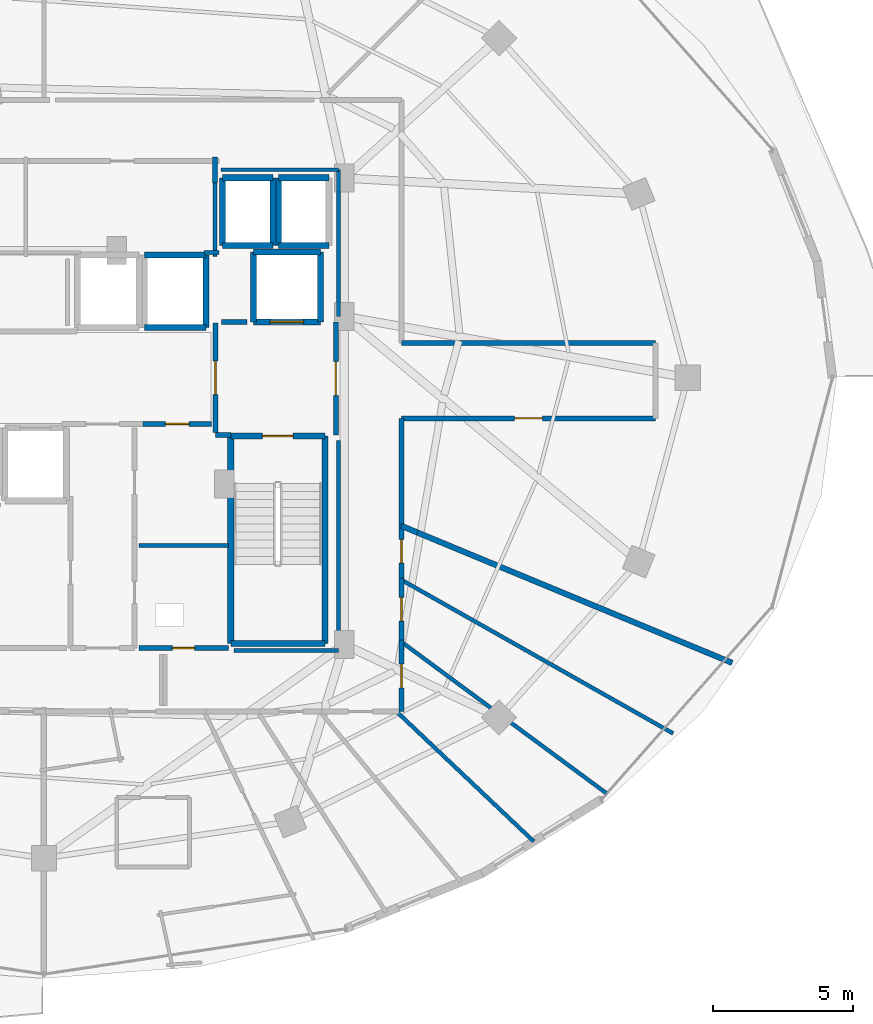
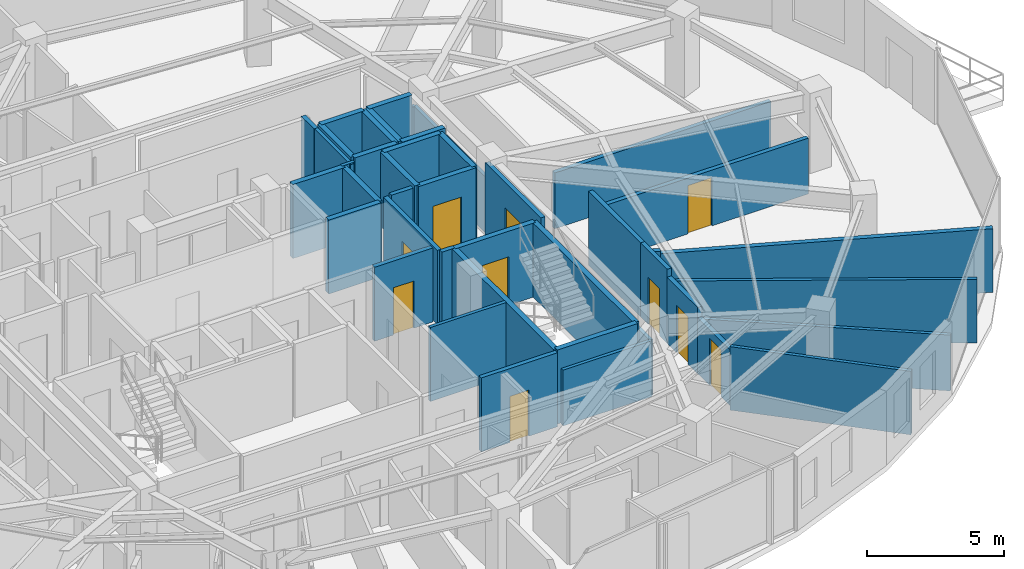
# One storey, part 27 of 32: 43 walls, 10 doors, 10 openings.
"""IFC4 building model written with IfcOpenShell, lengths in metres."""

from ifc_helpers import new_model, si_unit, direction, frame, frame_2d, origin, place, context, subcontext, project, spatial, rectangle, extrude, material, layer, layer_set, type_object, element, fill, save


model = new_model("IFC4")

# Units and contexts
model_context = context("Model", 3, precision=1e-05, world=origin(), true_north=direction((0.0, 1.0)))
body_context = subcontext(model_context, "Body", "Model", "MODEL_VIEW")
ifc_project = project(units=[si_unit("LENGTHUNIT", "METRE"), si_unit("AREAUNIT", "SQUARE_METRE"), si_unit("VOLUMEUNIT", "CUBIC_METRE"), si_unit("PLANEANGLEUNIT", "RADIAN"), si_unit("MASSUNIT", "GRAM", prefix="KILO")], contexts=[model_context])

# Site, building, storey
site_placement = place(None, origin())
site = spatial("IfcSite", under=ifc_project, at=site_placement, CompositionType="ELEMENT")
building_placement = place(site_placement, origin())
building = spatial("IfcBuilding", under=site, at=building_placement, Name="Vorneva Point Tower", CompositionType="ELEMENT")
storey_placement = place(building_placement, frame((0.0, 0.0, 207.199951171875)))
storey = spatial("IfcBuildingStorey", under=building, at=storey_placement, Name="L56", CompositionType="ELEMENT", Elevation=207.199951171875)

# Wall, opening, door
ifc_material_1 = material(Name="Concrete B60 (C50/60)", Category="concrete")
ifc_layer_1 = layer(ifc_material_1, 0.35009765625)
ifc_layer_set_1 = layer_set([ifc_layer_1], Name="Concrete B60 (C50/60)")
wall_type_1 = type_object("IfcWallType", Name="WL-CORE-350", PredefinedType="SHEAR", material=ifc_layer_set_1)
wall_1_placement = place(storey_placement, frame((45.5, 28.0, 0.0), z_axis=(0.0, 0.0, 1.0), x_axis=(1.0, 0.0, 0.0)))
wall_1 = element("IfcWall", 1, at=wall_1_placement, inside=storey, type_object=wall_type_1, Name="L56 Lift FFL2 Shaft Wall -Y", PredefinedType="SHEAR", context=body_context, shape_type="SweptSolid", body=[
    extrude(rectangle(XDim=2.39990234375, YDim=0.219970703125, at=frame_2d((1.199951171875, 0.0))), origin(), (0.0, 0.0, 1.0), 3.2900390625),
])
opening_1_placement = place(wall_1_placement, frame((0.60009765625, 0.0, 0.0)))
opening_1 = element("IfcOpeningElement", 2, at=opening_1_placement, cuts=wall_1, Name="Opening LD-02", PredefinedType="OPENING", context=body_context, shape_type="SweptSolid", body=[
    extrude(rectangle(XDim=1.199951171875, YDim=2.199951171875, at=frame_2d((0.60009765625, 1.10009765625))), frame((0.0, 0.125, 0.0), z_axis=(0.0, -1.0, 0.0), x_axis=(1.0, 0.0, 0.0)), (0.0, 0.0, 1.0), 0.249755859375),
])
ifc_material_2 = material(Name="Brushed stainless steel S304", Category="steel")
door_type_1 = type_object("IfcDoorType", Name="LD-FIRE-1200", OperationType="SLIDING_TO_LEFT", PredefinedType="DOOR", material=ifc_material_2)
door_1_placement = place(opening_1_placement, origin())
door_1 = element("IfcDoor", 3, at=door_1_placement, inside=storey, type_object=door_type_1, Name="L56 Lift FFL2 Sliding Landing Door", OperationType="SLIDING_TO_LEFT", OverallHeight=2.199951171875, OverallWidth=1.199951171875, PredefinedType="DOOR", context=body_context, shape_type="SweptSolid", body=[
    extrude(rectangle(XDim=1.199951171875, YDim=2.199951171875, at=frame_2d((0.60009765625, 1.10009765625))), frame((0.0, 0.02490234375, 0.0), z_axis=(0.0, -1.0, 0.0), x_axis=(1.0, 0.0, 0.0)), (0.0, 0.0, 1.0), 0.050048828125),
])
fill(opening_1, door_1)

# Walls
wall_2_placement = place(storey_placement, frame((47.89990234375, 28.0, 0.0), z_axis=(0.0, 0.0, 1.0), x_axis=(0.0, 1.0, 0.0)))
element("IfcWall", 4, at=wall_2_placement, inside=storey, type_object=wall_type_1, Name="L56 Lift FFL2 Shaft Wall +X", PredefinedType="SHEAR", context=body_context, shape_type="SweptSolid", body=[
    extrude(rectangle(XDim=2.5, YDim=0.219970703125, at=frame_2d((1.25, 0.0))), origin(), (0.0, 0.0, 1.0), 3.2900390625),
])
wall_3_placement = place(storey_placement, frame((47.89990234375, 30.5, 0.0), z_axis=(0.0, 0.0, 1.0), x_axis=(-1.0, 0.0, 0.0)))
element("IfcWall", 5, at=wall_3_placement, inside=storey, type_object=wall_type_1, Name="L56 Lift FFL2 Shaft Wall +Y", PredefinedType="SHEAR", context=body_context, shape_type="SweptSolid", body=[
    extrude(rectangle(XDim=2.39990234375, YDim=0.219970703125, at=frame_2d((1.199951171875, 0.0))), origin(), (0.0, 0.0, 1.0), 3.2900390625),
])
wall_4_placement = place(storey_placement, frame((45.5, 30.5, 0.0), z_axis=(0.0, 0.0, 1.0), x_axis=(0.0, -1.0, 0.0)))
element("IfcWall", 6, at=wall_4_placement, inside=storey, type_object=wall_type_1, Name="L56 Lift FFL2 Shaft Wall -X", PredefinedType="SHEAR", context=body_context, shape_type="SweptSolid", body=[
    extrude(rectangle(XDim=2.5, YDim=0.219970703125, at=frame_2d((1.25, 0.0))), origin(), (0.0, 0.0, 1.0), 3.2900390625),
])
ifc_material_3 = material(Name="Fire-rated acoustic gypsum stud partition", Category="gypsum")
ifc_layer_2 = layer(ifc_material_3, 0.139892578125)
ifc_layer_set_2 = layer_set([ifc_layer_2], Name="Fire-rated acoustic gypsum stud partition")
wall_type_2 = type_object("IfcWallType", Name="WL-PART-140", PredefinedType="PARTITIONING", material=ifc_layer_set_2)
wall_5_placement = place(storey_placement, frame((44.60009765625, 20.0, 0.0), z_axis=(0.0, 0.0, 1.0), x_axis=(-1.0, 0.0, 0.0)))
element("IfcWall", 7, at=wall_5_placement, inside=storey, type_object=wall_type_2, Name="L56 Interior Partition 017", PredefinedType="PARTITIONING", context=body_context, shape_type="SweptSolid", body=[
    extrude(rectangle(XDim=3.2001953125, YDim=0.139892578125, at=frame_2d((1.60009765625, 0.0))), origin(), (0.0, 0.0, 1.0), 3.2900390625),
])
wall_6_placement = place(storey_placement, frame((55.5380859375, 9.40087890625, 0.0), z_axis=(0.0, 0.0, 1.0), x_axis=(-0.726277952769, 0.687401145854, 0.0)))
element("IfcWall", 8, at=wall_6_placement, inside=storey, type_object=wall_type_2, Name="L56 Interior Partition 144", PredefinedType="PARTITIONING", context=body_context, shape_type="SweptSolid", body=[
    extrude(rectangle(XDim=6.763427734375, YDim=0.139892578125, at=frame_2d((3.3818359375, 0.0))), origin(), (0.0, 0.0, 1.0), 2.823974609375),
])
wall_7_placement = place(storey_placement, frame((58.174072265625, 11.09912109375, 0.0), z_axis=(0.0, 0.0, 1.0), x_axis=(-0.804363169868, 0.594137939338, 0.0)))
element("IfcWall", 9, at=wall_7_placement, inside=storey, type_object=wall_type_2, Name="L56 Interior Partition 145", PredefinedType="PARTITIONING", context=body_context, shape_type="SweptSolid", body=[
    extrude(rectangle(XDim=9.16748046875, YDim=0.139892578125, at=frame_2d((4.583740234375, 0.0))), origin(), (0.0, 0.0, 1.0), 2.48193359375),
])
wall_8_placement = place(storey_placement, frame((60.52392578125, 13.26904296875, 0.0), z_axis=(0.0, 0.0, 1.0), x_axis=(-0.870572608778, 0.49203997078, 0.0)))
element("IfcWall", 10, at=wall_8_placement, inside=storey, type_object=wall_type_2, Name="L56 Interior Partition 146", PredefinedType="PARTITIONING", context=body_context, shape_type="SweptSolid", body=[
    extrude(rectangle(XDim=11.16943359375, YDim=0.139892578125, at=frame_2d((5.584716796875, 0.0))), origin(), (0.0, 0.0, 1.0), 2.823974609375),
])
wall_9_placement = place(storey_placement, frame((43.735107421875, 30.47998046875, 0.0), z_axis=(0.0, 0.0, 1.0), x_axis=(1.0, 0.0, 0.0)))
element("IfcWall", 11, at=wall_9_placement, inside=storey, type_object=wall_type_2, Name="L56 Interior Closure Partition 152", PredefinedType="PARTITIONING", context=body_context, shape_type="SweptSolid", body=[
    extrude(rectangle(XDim=0.52490234375, YDim=0.139892578125, at=frame_2d((0.262451171875, 0.0))), origin(), (0.0, 0.0, 1.0), 3.2900390625),
])
wall_10_placement = place(storey_placement, frame((44.1201171875, 30.340087890625, 0.0), z_axis=(0.0, 0.0, 1.0), x_axis=(0.0, 1.0, 0.0)))
element("IfcWall", 12, at=wall_10_placement, inside=storey, type_object=wall_type_2, Name="L56 Interior Closure Partition 153", PredefinedType="PARTITIONING", context=body_context, shape_type="SweptSolid", body=[
    extrude(rectangle(XDim=2.659912109375, YDim=0.139892578125, at=frame_2d((1.330078125, 0.0))), origin(), (0.0, 0.0, 1.0), 3.2900390625),
])
wall_11_placement = place(storey_placement, frame((44.804931640625, 16.239990234375, 0.0), z_axis=(0.0, 0.0, 1.0), x_axis=(1.0, 0.0, 0.0)))
element("IfcWall", 13, at=wall_11_placement, inside=storey, type_object=wall_type_2, Name="L56 Interior Closure Partition 158", PredefinedType="PARTITIONING", context=body_context, shape_type="SweptSolid", body=[
    extrude(rectangle(XDim=3.7451171875, YDim=0.139892578125, at=frame_2d((1.87255859375, 0.0))), origin(), (0.0, 0.0, 1.0), 2.48193359375),
])
wall_12_placement = place(storey_placement, frame((48.550048828125, 16.239990234375, 0.0), z_axis=(0.0, 0.0, 1.0), x_axis=(0.0, 1.0, 0.0)))
element("IfcWall", 14, at=wall_12_placement, inside=storey, type_object=wall_type_2, Name="L56 Interior Closure Partition 159", PredefinedType="PARTITIONING", context=body_context, shape_type="SweptSolid", body=[
    extrude(rectangle(XDim=7.513916015625, YDim=0.139892578125, at=frame_2d((3.7568359375, 0.0))), origin(), (0.0, 0.0, 1.0), 2.48193359375),
])
wall_13_placement = place(storey_placement, frame((48.550048828125, 28.196044921875, 0.0), z_axis=(0.0, 0.0, 1.0), x_axis=(0.0, 1.0, 0.0)))
element("IfcWall", 15, at=wall_13_placement, inside=storey, type_object=wall_type_2, Name="L56 Interior Closure Partition 160", PredefinedType="PARTITIONING", context=body_context, shape_type="SweptSolid", body=[
    extrude(rectangle(XDim=5.25390625, YDim=0.139892578125, at=frame_2d((2.626953125, 0.0))), origin(), (0.0, 0.0, 1.0), 2.48193359375),
])
wall_14_placement = place(storey_placement, frame((48.550048828125, 33.449951171875, 0.0), z_axis=(0.0, 0.0, 1.0), x_axis=(-1.0, 0.0, 0.0)))
element("IfcWall", 16, at=wall_14_placement, inside=storey, type_object=wall_type_2, Name="L56 Interior Closure Partition 161", PredefinedType="PARTITIONING", context=body_context, shape_type="SweptSolid", body=[
    extrude(rectangle(XDim=4.2099609375, YDim=0.139892578125, at=frame_2d((2.10498046875, 0.0))), origin(), (0.0, 0.0, 1.0), 2.48193359375),
])

# Wall, opening, door
ifc_material_4 = material(Name="Autoclaved aerated concrete blockwork", Category="masonry")
ifc_layer_3 = layer(ifc_material_4, 0.179931640625)
ifc_layer_set_3 = layer_set([ifc_layer_3], Name="Autoclaved aerated concrete blockwork")
wall_type_3 = type_object("IfcWallType", Name="WL-PART-180", PredefinedType="PARTITIONING", material=ifc_layer_set_3)
wall_15_placement = place(storey_placement, frame((44.14990234375, 27.955078125, 0.0), z_axis=(0.0, 0.0, 1.0), x_axis=(0.0, -1.0, 0.0)))
wall_15 = element("IfcWall", 17, at=wall_15_placement, inside=storey, type_object=wall_type_3, Name="L56 Interior Partition 003", PredefinedType="PARTITIONING", context=body_context, shape_type="SweptSolid", body=[
    extrude(rectangle(XDim=3.91015625, YDim=0.179931640625, at=frame_2d((1.955078125, 0.0))), origin(), (0.0, 0.0, 1.0), 3.2900390625),
])
opening_2_placement = place(wall_15_placement, frame((1.35498046875, 0.0, 0.0)))
opening_2 = element("IfcOpeningElement", 18, at=opening_2_placement, cuts=wall_15, Name="Opening FD-02", PredefinedType="OPENING", context=body_context, shape_type="SweptSolid", body=[
    extrude(rectangle(XDim=1.199951171875, YDim=2.14990234375, at=frame_2d((0.60009765625, 1.074951171875))), frame((0.0, 0.10498046875, 0.0), z_axis=(0.0, -1.0, 0.0), x_axis=(1.0, 0.0, 0.0)), (0.0, 0.0, 1.0), 0.209716796875),
])
ifc_material_5 = material(Name="Fire-rated powder-coated steel", Category="steel")
door_type_2 = type_object("IfcDoorType", Name="DR-FFL-1200", OperationType="NOTDEFINED", PredefinedType="DOOR", material=ifc_material_5)
door_2_placement = place(opening_2_placement, origin())
door_2 = element("IfcDoor", 19, at=door_2_placement, inside=storey, type_object=door_type_2, Name="L56 Door East Firefighting Lobby / Central Lift Lobby", OperationType="SINGLE_SWING_RIGHT", OverallHeight=2.14990234375, OverallWidth=1.199951171875, PredefinedType="DOOR", context=body_context, shape_type="SweptSolid", body=[
    extrude(rectangle(XDim=1.199951171875, YDim=2.14990234375, at=frame_2d((0.60009765625, 1.074951171875))), frame((0.0, 0.02490234375, 0.0), z_axis=(0.0, -1.0, 0.0), x_axis=(1.0, 0.0, 0.0)), (0.0, 0.0, 1.0), 0.050048828125),
])
fill(opening_2, door_2)

# Wall
wall_16_placement = place(storey_placement, frame((44.14990234375, 23.949951171875, 0.0), z_axis=(0.0, 0.0, 1.0), x_axis=(1.0, 0.0, 0.0)))
element("IfcWall", 20, at=wall_16_placement, inside=storey, type_object=wall_type_3, Name="L56 Interior Partition 004", PredefinedType="PARTITIONING", context=body_context, shape_type="SweptSolid", body=[
    extrude(rectangle(XDim=0.5400390625, YDim=0.179931640625, at=frame_2d((0.27001953125, 0.0))), origin(), (0.0, 0.0, 1.0), 3.2900390625),
])

# Wall, opening, door
wall_17_placement = place(storey_placement, frame((48.449951171875, 23.949951171875, 0.0), z_axis=(0.0, 0.0, 1.0), x_axis=(0.0, 1.0, 0.0)))
wall_17 = element("IfcWall", 21, at=wall_17_placement, inside=storey, type_object=wall_type_3, Name="L56 Interior Partition 005", PredefinedType="PARTITIONING", context=body_context, shape_type="SweptSolid", body=[
    extrude(rectangle(XDim=4.050048828125, YDim=0.179931640625, at=frame_2d((2.02490234375, 0.0))), origin(), (0.0, 0.0, 1.0), 3.2900390625),
])
opening_3_placement = place(wall_17_placement, frame((1.425048828125, 0.0, 0.0)))
opening_3 = element("IfcOpeningElement", 22, at=opening_3_placement, cuts=wall_17, Name="Opening FD-02", PredefinedType="OPENING", context=body_context, shape_type="SweptSolid", body=[
    extrude(rectangle(XDim=1.199951171875, YDim=2.14990234375, at=frame_2d((0.60009765625, 1.074951171875))), frame((0.0, 0.10498046875, 0.0), z_axis=(0.0, -1.0, 0.0), x_axis=(1.0, 0.0, 0.0)), (0.0, 0.0, 1.0), 0.209716796875),
])
door_3_placement = place(opening_3_placement, origin())
door_3 = element("IfcDoor", 23, at=door_3_placement, inside=storey, type_object=door_type_2, Name="L56 Door East Firefighting Lobby / L56 Circulation Corridor", OperationType="SINGLE_SWING_LEFT", OverallHeight=2.14990234375, OverallWidth=1.199951171875, PredefinedType="DOOR", context=body_context, shape_type="SweptSolid", body=[
    extrude(rectangle(XDim=1.199951171875, YDim=2.14990234375, at=frame_2d((0.60009765625, 1.074951171875))), frame((0.0, 0.02490234375, 0.0), z_axis=(0.0, -1.0, 0.0), x_axis=(1.0, 0.0, 0.0)), (0.0, 0.0, 1.0), 0.050048828125),
])
fill(opening_3, door_3)

wall_18_placement = place(storey_placement, frame((41.554931640625, 24.35009765625, 0.0), z_axis=(0.0, 0.0, 1.0), x_axis=(1.0, 0.0, 0.0)))
wall_18 = element("IfcWall", 24, at=wall_18_placement, inside=storey, type_object=wall_type_3, Name="L56 Interior Partition 011", PredefinedType="PARTITIONING", context=body_context, shape_type="SweptSolid", body=[
    extrude(rectangle(XDim=2.445068359375, YDim=0.179931640625, at=frame_2d((1.22265625, 0.0))), origin(), (0.0, 0.0, 1.0), 3.2900390625),
])
opening_4_placement = place(wall_18_placement, frame((0.797607421875, 0.0, 0.0)))
opening_4 = element("IfcOpeningElement", 25, at=opening_4_placement, cuts=wall_18, Name="Opening ID-02", PredefinedType="OPENING", context=body_context, shape_type="SweptSolid", body=[
    extrude(rectangle(XDim=0.85009765625, YDim=2.10009765625, at=frame_2d((0.425048828125, 1.050048828125))), frame((0.0, 0.10498046875, 0.0), z_axis=(0.0, -1.0, 0.0), x_axis=(1.0, 0.0, 0.0)), (0.0, 0.0, 1.0), 0.209716796875),
])
ifc_material_6 = material(Name="Engineered oak fire-rated door leaf", Category="wood")
door_type_3 = type_object("IfcDoorType", Name="DR-BATH-850", OperationType="NOTDEFINED", PredefinedType="DOOR", material=ifc_material_6)
door_4_placement = place(opening_4_placement, origin())
door_4 = element("IfcDoor", 26, at=door_4_placement, inside=storey, type_object=door_type_3, Name="L56 Door Central Lift Lobby / Cleaners Store", OperationType="SINGLE_SWING_RIGHT", OverallHeight=2.10009765625, OverallWidth=0.85009765625, PredefinedType="DOOR", context=body_context, shape_type="SweptSolid", body=[
    extrude(rectangle(XDim=0.85009765625, YDim=2.10009765625, at=frame_2d((0.425048828125, 1.050048828125))), frame((0.0, 0.02490234375, 0.0), z_axis=(0.0, -1.0, 0.0), x_axis=(1.0, 0.0, 0.0)), (0.0, 0.0, 1.0), 0.050048828125),
])
fill(opening_4, door_4)

wall_19_placement = place(storey_placement, frame((41.39990234375, 16.320068359375, 0.0), z_axis=(0.0, 0.0, 1.0), x_axis=(1.0, 0.0, 0.0)))
wall_19 = element("IfcWall", 27, at=wall_19_placement, inside=storey, type_object=wall_type_3, Name="L56 Interior Partition 018", PredefinedType="PARTITIONING", context=body_context, shape_type="SweptSolid", body=[
    extrude(rectangle(XDim=3.2001953125, YDim=0.179931640625, at=frame_2d((1.60009765625, 0.0))), origin(), (0.0, 0.0, 1.0), 3.2900390625),
])
opening_5_placement = place(wall_19_placement, frame((1.199951171875, 0.0, 0.0)))
opening_5 = element("IfcOpeningElement", 28, at=opening_5_placement, cuts=wall_19, Name="Opening RD-01", PredefinedType="OPENING", context=body_context, shape_type="SweptSolid", body=[
    extrude(rectangle(XDim=0.800048828125, YDim=2.050048828125, at=frame_2d((0.39990234375, 1.02490234375))), frame((0.0, 0.10498046875, 0.0), z_axis=(0.0, -1.0, 0.0), x_axis=(1.0, 0.0, 0.0)), (0.0, 0.0, 1.0), 0.209716796875),
])
door_type_4 = type_object("IfcDoorType", Name="DR-RSR-800", OperationType="SINGLE_SWING_LEFT", PredefinedType="DOOR", material=ifc_material_5)
door_5_placement = place(opening_5_placement, origin())
door_5 = element("IfcDoor", 29, at=door_5_placement, inside=storey, type_object=door_type_4, Name="L56 Door Electrical Riser / L56 Circulation Corridor", OperationType="SINGLE_SWING_RIGHT", OverallHeight=2.050048828125, OverallWidth=0.800048828125, PredefinedType="DOOR", context=body_context, shape_type="SweptSolid", body=[
    extrude(rectangle(XDim=0.800048828125, YDim=2.050048828125, at=frame_2d((0.39990234375, 1.02490234375))), frame((0.0, 0.02490234375, 0.0), z_axis=(0.0, -1.0, 0.0), x_axis=(1.0, 0.0, 0.0)), (0.0, 0.0, 1.0), 0.050048828125),
])
fill(opening_5, door_5)

# Wall
wall_20_placement = place(storey_placement, frame((44.1201171875, 32.969970703125, 0.0), z_axis=(0.0, 0.0, 1.0), x_axis=(0.0, 1.0, 0.0)))
element("IfcWall", 30, at=wall_20_placement, inside=storey, type_object=wall_type_3, Name="L56 Interior Partition 024", PredefinedType="PARTITIONING", context=body_context, shape_type="SweptSolid", body=[
    extrude(rectangle(XDim=0.929931640625, YDim=0.179931640625, at=frame_2d((0.46484375, 0.0))), origin(), (0.0, 0.0, 1.0), 3.2900390625),
])

# Wall, opening, door
wall_21_placement = place(storey_placement, frame((50.800048828125, 14.050048828125, 0.0), z_axis=(0.0, 0.0, 1.0), x_axis=(0.0, 1.0, 0.0)))
wall_21 = element("IfcWall", 31, at=wall_21_placement, inside=storey, type_object=wall_type_3, Name="L56 Interior Partition 062", PredefinedType="PARTITIONING", context=body_context, shape_type="SweptSolid", body=[
    extrude(rectangle(XDim=2.555908203125, YDim=0.179931640625, at=frame_2d((1.27783203125, 0.0))), origin(), (0.0, 0.0, 1.0), 2.48193359375),
])
opening_6_placement = place(wall_21_placement, frame((0.85302734375, 0.0, 0.0)))
opening_6 = element("IfcOpeningElement", 32, at=opening_6_placement, cuts=wall_21, Name="Opening ID-02", PredefinedType="OPENING", context=body_context, shape_type="SweptSolid", body=[
    extrude(rectangle(XDim=0.85009765625, YDim=2.10009765625, at=frame_2d((0.425048828125, 1.050048828125))), frame((0.0, 0.10498046875, 0.0), z_axis=(0.0, -1.0, 0.0), x_axis=(1.0, 0.0, 0.0)), (0.0, 0.0, 1.0), 0.209716796875),
])
door_6_placement = place(opening_6_placement, origin())
door_6 = element("IfcDoor", 33, at=door_6_placement, inside=storey, type_object=door_type_3, Name="L56 Access Door L56 Circulation Corridor", OperationType="SINGLE_SWING_RIGHT", OverallHeight=2.10009765625, OverallWidth=0.85009765625, PredefinedType="DOOR", context=body_context, shape_type="SweptSolid", body=[
    extrude(rectangle(XDim=0.85009765625, YDim=2.10009765625, at=frame_2d((0.425048828125, 1.050048828125))), frame((0.0, 0.02490234375, 0.0), z_axis=(0.0, -1.0, 0.0), x_axis=(1.0, 0.0, 0.0)), (0.0, 0.0, 1.0), 0.050048828125),
])
fill(opening_6, door_6)

wall_22_placement = place(storey_placement, frame((50.800048828125, 16.60595703125, 0.0), z_axis=(0.0, 0.0, 1.0), x_axis=(0.0, 1.0, 0.0)))
wall_22 = element("IfcWall", 34, at=wall_22_placement, inside=storey, type_object=wall_type_3, Name="L56 Interior Partition 063", PredefinedType="PARTITIONING", context=body_context, shape_type="SweptSolid", body=[
    extrude(rectangle(XDim=2.218994140625, YDim=0.179931640625, at=frame_2d((1.109375, 0.0))), origin(), (0.0, 0.0, 1.0), 2.93603515625),
])
opening_7_placement = place(wall_22_placement, frame((0.6845703125, 0.0, 0.0)))
opening_7 = element("IfcOpeningElement", 35, at=opening_7_placement, cuts=wall_22, Name="Opening ID-02", PredefinedType="OPENING", context=body_context, shape_type="SweptSolid", body=[
    extrude(rectangle(XDim=0.85009765625, YDim=2.10009765625, at=frame_2d((0.425048828125, 1.050048828125))), frame((0.0, 0.10498046875, 0.0), z_axis=(0.0, -1.0, 0.0), x_axis=(1.0, 0.0, 0.0)), (0.0, 0.0, 1.0), 0.209716796875),
])
door_7_placement = place(opening_7_placement, origin())
door_7 = element("IfcDoor", 36, at=door_7_placement, inside=storey, type_object=door_type_3, Name="L56 Access Door L56 Circulation Corridor", OperationType="SINGLE_SWING_LEFT", OverallHeight=2.10009765625, OverallWidth=0.85009765625, PredefinedType="DOOR", context=body_context, shape_type="SweptSolid", body=[
    extrude(rectangle(XDim=0.85009765625, YDim=2.10009765625, at=frame_2d((0.425048828125, 1.050048828125))), frame((0.0, 0.02490234375, 0.0), z_axis=(0.0, -1.0, 0.0), x_axis=(1.0, 0.0, 0.0)), (0.0, 0.0, 1.0), 0.050048828125),
])
fill(opening_7, door_7)

wall_23_placement = place(storey_placement, frame((50.800048828125, 18.824951171875, 0.0), z_axis=(0.0, 0.0, 1.0), x_axis=(0.0, 1.0, 0.0)))
wall_23 = element("IfcWall", 37, at=wall_23_placement, inside=storey, type_object=wall_type_3, Name="L56 Interior Partition 064", PredefinedType="PARTITIONING", context=body_context, shape_type="SweptSolid", body=[
    extrude(rectangle(XDim=1.93310546875, YDim=0.179931640625, at=frame_2d((0.966552734375, 0.0))), origin(), (0.0, 0.0, 1.0), 3.2900390625),
])
opening_8_placement = place(wall_23_placement, frame((0.54150390625, 0.0, 0.0)))
opening_8 = element("IfcOpeningElement", 38, at=opening_8_placement, cuts=wall_23, Name="Opening ID-02", PredefinedType="OPENING", context=body_context, shape_type="SweptSolid", body=[
    extrude(rectangle(XDim=0.85009765625, YDim=2.10009765625, at=frame_2d((0.425048828125, 1.050048828125))), frame((0.0, 0.10498046875, 0.0), z_axis=(0.0, -1.0, 0.0), x_axis=(1.0, 0.0, 0.0)), (0.0, 0.0, 1.0), 0.209716796875),
])
door_8_placement = place(opening_8_placement, origin())
door_8 = element("IfcDoor", 39, at=door_8_placement, inside=storey, type_object=door_type_3, Name="L56 Access Door L56 Circulation Corridor", OperationType="SINGLE_SWING_RIGHT", OverallHeight=2.10009765625, OverallWidth=0.85009765625, PredefinedType="DOOR", context=body_context, shape_type="SweptSolid", body=[
    extrude(rectangle(XDim=0.85009765625, YDim=2.10009765625, at=frame_2d((0.425048828125, 1.050048828125))), frame((0.0, 0.02490234375, 0.0), z_axis=(0.0, -1.0, 0.0), x_axis=(1.0, 0.0, 0.0)), (0.0, 0.0, 1.0), 0.050048828125),
])
fill(opening_8, door_8)

# Wall
wall_24_placement = place(storey_placement, frame((50.800048828125, 20.758056640625, 0.0), z_axis=(0.0, 0.0, 1.0), x_axis=(0.0, 1.0, 0.0)))
element("IfcWall", 40, at=wall_24_placement, inside=storey, type_object=wall_type_3, Name="L56 Interior Partition 065", PredefinedType="PARTITIONING", context=body_context, shape_type="SweptSolid", body=[
    extrude(rectangle(XDim=3.7919921875, YDim=0.179931640625, at=frame_2d((1.89599609375, 0.0))), origin(), (0.0, 0.0, 1.0), 3.2900390625),
])

# Wall, opening, door
wall_25_placement = place(storey_placement, frame((50.800048828125, 24.550048828125, 0.0), z_axis=(0.0, 0.0, 1.0), x_axis=(1.0, 0.0, 0.0)))
wall_25 = element("IfcWall", 41, at=wall_25_placement, inside=storey, type_object=wall_type_3, Name="L56 Interior Partition 066", PredefinedType="PARTITIONING", context=body_context, shape_type="SweptSolid", body=[
    extrude(rectangle(XDim=9.099853515625, YDim=0.179931640625, at=frame_2d((4.5498046875, 0.0))), origin(), (0.0, 0.0, 1.0), 2.48193359375),
])
opening_9_placement = place(wall_25_placement, frame((4.050048828125, 0.0, 0.0)))
opening_9 = element("IfcOpeningElement", 42, at=opening_9_placement, cuts=wall_25, Name="Opening UD-01", PredefinedType="OPENING", context=body_context, shape_type="SweptSolid", body=[
    extrude(rectangle(XDim=1.0, YDim=2.14990234375, at=frame_2d((0.5, 1.074951171875))), frame((0.0, 0.10498046875, 0.0), z_axis=(0.0, -1.0, 0.0), x_axis=(1.0, 0.0, 0.0)), (0.0, 0.0, 1.0), 0.209716796875),
])
door_type_5 = type_object("IfcDoorType", Name="DR-UNIT-1000", OperationType="NOTDEFINED", PredefinedType="DOOR", material=ifc_material_6)
door_9_placement = place(opening_9_placement, origin())
door_9 = element("IfcDoor", 43, at=door_9_placement, inside=storey, type_object=door_type_5, Name="L56 Door L56 Circulation Corridor / Residents Co-Working Office L56-06", OperationType="SINGLE_SWING_LEFT", OverallHeight=2.14990234375, OverallWidth=1.0, PredefinedType="DOOR", context=body_context, shape_type="SweptSolid", body=[
    extrude(rectangle(XDim=1.0, YDim=2.14990234375, at=frame_2d((0.5, 1.074951171875))), frame((0.0, 0.02490234375, 0.0), z_axis=(0.0, -1.0, 0.0), x_axis=(1.0, 0.0, 0.0)), (0.0, 0.0, 1.0), 0.050048828125),
])
fill(opening_9, door_9)

# Walls
wall_26_placement = place(storey_placement, frame((59.89990234375, 27.25, 0.0), z_axis=(0.0, 0.0, 1.0), x_axis=(-1.0, 0.0, 0.0)))
element("IfcWall", 44, at=wall_26_placement, inside=storey, type_object=wall_type_3, Name="L56 Interior Partition 068", PredefinedType="PARTITIONING", context=body_context, shape_type="SweptSolid", body=[
    extrude(rectangle(XDim=9.099853515625, YDim=0.179931640625, at=frame_2d((4.5498046875, 0.0))), origin(), (0.0, 0.0, 1.0), 2.48193359375),
])
wall_27_placement = place(storey_placement, frame((45.280029296875, 28.0, 0.0), z_axis=(0.0, 0.0, 1.0), x_axis=(-1.0, 0.0, 0.0)))
element("IfcWall", 45, at=wall_27_placement, inside=storey, type_object=wall_type_3, Name="L56 Interior Closure Partition 150", PredefinedType="PARTITIONING", context=body_context, shape_type="SweptSolid", body=[
    extrude(rectangle(XDim=0.9150390625, YDim=0.179931640625, at=frame_2d((0.45751953125, 0.0))), origin(), (0.0, 0.0, 1.0), 3.2900390625),
])
ifc_layer_4 = layer(ifc_material_4, 0.199951171875)
ifc_layer_set_4 = layer_set([ifc_layer_4], Name="Autoclaved aerated concrete blockwork")
wall_type_4 = type_object("IfcWallType", Name="WL-PART-200", PredefinedType="PARTITIONING", material=ifc_layer_set_4)
wall_28_placement = place(storey_placement, frame((51.368896484375, 20.4619140625, 0.0), z_axis=(0.0, 0.0, 1.0), x_axis=(-0.923615496363, 0.383320251066, 0.0)))
element("IfcWall", 46, at=wall_28_placement, inside=storey, type_object=wall_type_4, Name="L56 Interior Partition 147", PredefinedType="PARTITIONING", context=body_context, shape_type="SweptSolid", body=[
    extrude(rectangle(XDim=0.615966796875, YDim=0.199951171875, at=frame_2d((0.30810546875, 0.0))), origin(), (0.0, 0.0, 1.0), 2.93603515625),
])
wall_29_placement = place(storey_placement, frame((62.639892578125, 15.7939453125, 0.0), z_axis=(0.0, 0.0, 1.0), x_axis=(-0.923897809723, 0.382639304291, 0.0)))
element("IfcWall", 47, at=wall_29_placement, inside=storey, type_object=wall_type_4, Name="L56 Interior Partition 148", PredefinedType="PARTITIONING", context=body_context, shape_type="SweptSolid", body=[
    extrude(rectangle(XDim=12.199462890625, YDim=0.199951171875, at=frame_2d((6.099609375, 0.0))), origin(), (0.0, 0.0, 1.0), 2.823974609375),
])

# Wall, opening, door
ifc_material_7 = material(Name="Concrete B50 (C40/50)", Category="concrete")
ifc_layer_5 = layer(ifc_material_7, 0.219970703125)
ifc_layer_set_5 = layer_set([ifc_layer_5], Name="Concrete B50 (C40/50)")
wall_type_5 = type_object("IfcWallType", Name="WL-SHFT-220", PredefinedType="SOLIDWALL", material=ifc_layer_set_5)
wall_30_placement = place(storey_placement, frame((44.68994140625, 23.909912109375, 0.0), z_axis=(0.0, 0.0, 1.0), x_axis=(1.0, 0.0, 0.0)))
wall_30 = element("IfcWall", 48, at=wall_30_placement, inside=storey, type_object=wall_type_5, Name="L56 Exit Stair ST2 Shaft Wall near", PredefinedType="SOLIDWALL", context=body_context, shape_type="SweptSolid", body=[
    extrude(rectangle(XDim=3.3701171875, YDim=0.219970703125, at=frame_2d((1.68505859375, 0.0))), origin(), (0.0, 0.0, 1.0), 3.2900390625),
])
opening_10_placement = place(wall_30_placement, frame((1.135009765625, 0.0, 0.0)))
opening_10 = element("IfcOpeningElement", 49, at=opening_10_placement, cuts=wall_30, Name="Opening FD-01", PredefinedType="OPENING", context=body_context, shape_type="SweptSolid", body=[
    extrude(rectangle(XDim=1.10009765625, YDim=2.14990234375, at=frame_2d((0.550048828125, 1.074951171875))), frame((0.0, 0.125, 0.0), z_axis=(0.0, -1.0, 0.0), x_axis=(1.0, 0.0, 0.0)), (0.0, 0.0, 1.0), 0.249755859375),
])
door_type_6 = type_object("IfcDoorType", Name="DR-STAIR-1100", OperationType="NOTDEFINED", PredefinedType="DOOR", material=ifc_material_5)
door_10_placement = place(opening_10_placement, origin())
door_10 = element("IfcDoor", 50, at=door_10_placement, inside=storey, type_object=door_type_6, Name="L56 Exit Stair ST2 Fire Door", OperationType="SINGLE_SWING_LEFT", OverallHeight=2.14990234375, OverallWidth=1.10009765625, PredefinedType="DOOR", context=body_context, shape_type="SweptSolid", body=[
    extrude(rectangle(XDim=1.10009765625, YDim=2.14990234375, at=frame_2d((0.550048828125, 1.074951171875))), frame((0.0, 0.02490234375, 0.0), z_axis=(0.0, -1.0, 0.0), x_axis=(1.0, 0.0, 0.0)), (0.0, 0.0, 1.0), 0.050048828125),
])
fill(opening_10, door_10)

# Walls
wall_31_placement = place(storey_placement, frame((48.06005859375, 23.909912109375, 0.0), z_axis=(0.0, 0.0, 1.0), x_axis=(0.0, -1.0, 0.0)))
element("IfcWall", 51, at=wall_31_placement, inside=storey, type_object=wall_type_5, Name="L56 Exit Stair ST2 Shaft Wall right", PredefinedType="SOLIDWALL", context=body_context, shape_type="SweptSolid", body=[
    extrude(rectangle(XDim=7.419921875, YDim=0.219970703125, at=frame_2d((3.7099609375, 0.0))), origin(), (0.0, 0.0, 1.0), 3.2900390625),
])
wall_32_placement = place(storey_placement, frame((48.06005859375, 16.489990234375, 0.0), z_axis=(0.0, 0.0, 1.0), x_axis=(-1.0, 0.0, 0.0)))
element("IfcWall", 52, at=wall_32_placement, inside=storey, type_object=wall_type_5, Name="L56 Exit Stair ST2 Shaft Wall far", PredefinedType="SOLIDWALL", context=body_context, shape_type="SweptSolid", body=[
    extrude(rectangle(XDim=3.3701171875, YDim=0.219970703125, at=frame_2d((1.68505859375, 0.0))), origin(), (0.0, 0.0, 1.0), 3.2900390625),
])
wall_33_placement = place(storey_placement, frame((44.68994140625, 16.489990234375, 0.0), z_axis=(0.0, 0.0, 1.0), x_axis=(0.0, 1.0, 0.0)))
element("IfcWall", 53, at=wall_33_placement, inside=storey, type_object=wall_type_5, Name="L56 Exit Stair ST2 Shaft Wall left", PredefinedType="SOLIDWALL", context=body_context, shape_type="SweptSolid", body=[
    extrude(rectangle(XDim=7.419921875, YDim=0.219970703125, at=frame_2d((3.7099609375, 0.0))), origin(), (0.0, 0.0, 1.0), 3.2900390625),
])
wall_34_placement = place(storey_placement, frame((41.60009765625, 27.800048828125, 0.0), z_axis=(0.0, 0.0, 1.0), x_axis=(1.0, 0.0, 0.0)))
element("IfcWall", 54, at=wall_34_placement, inside=storey, type_object=wall_type_5, Name="L56 Lift PL8 Shaft Wall -Y", PredefinedType="SOLIDWALL", context=body_context, shape_type="SweptSolid", body=[
    extrude(rectangle(XDim=2.199951171875, YDim=0.219970703125, at=frame_2d((1.10009765625, 0.0))), origin(), (0.0, 0.0, 1.0), 3.2900390625),
])
wall_35_placement = place(storey_placement, frame((43.800048828125, 27.800048828125, 0.0), z_axis=(0.0, 0.0, 1.0), x_axis=(0.0, 1.0, 0.0)))
element("IfcWall", 55, at=wall_35_placement, inside=storey, type_object=wall_type_5, Name="L56 Lift PL8 Shaft Wall +X", PredefinedType="SOLIDWALL", context=body_context, shape_type="SweptSolid", body=[
    extrude(rectangle(XDim=2.599853515625, YDim=0.219970703125, at=frame_2d((1.2998046875, 0.0))), origin(), (0.0, 0.0, 1.0), 3.2900390625),
])
wall_36_placement = place(storey_placement, frame((43.800048828125, 30.39990234375, 0.0), z_axis=(0.0, 0.0, 1.0), x_axis=(-1.0, 0.0, 0.0)))
element("IfcWall", 56, at=wall_36_placement, inside=storey, type_object=wall_type_5, Name="L56 Lift PL8 Shaft Wall +Y", PredefinedType="SOLIDWALL", context=body_context, shape_type="SweptSolid", body=[
    extrude(rectangle(XDim=2.199951171875, YDim=0.219970703125, at=frame_2d((1.10009765625, 0.0))), origin(), (0.0, 0.0, 1.0), 3.2900390625),
])
wall_37_placement = place(storey_placement, frame((44.39990234375, 30.739990234375, 0.0), z_axis=(0.0, 0.0, 1.0), x_axis=(1.0, 0.0, 0.0)))
element("IfcWall", 57, at=wall_37_placement, inside=storey, type_object=wall_type_5, Name="L56 Lift EX1 Shaft Wall -Y", PredefinedType="SOLIDWALL", context=body_context, shape_type="SweptSolid", body=[
    extrude(rectangle(XDim=1.800048828125, YDim=0.219970703125, at=frame_2d((0.89990234375, 0.0))), origin(), (0.0, 0.0, 1.0), 3.2900390625),
])
wall_38_placement = place(storey_placement, frame((46.199951171875, 30.739990234375, 0.0), z_axis=(0.0, 0.0, 1.0), x_axis=(0.0, 1.0, 0.0)))
element("IfcWall", 58, at=wall_38_placement, inside=storey, type_object=wall_type_5, Name="L56 Lift EX1 Shaft Wall +X", PredefinedType="SOLIDWALL", context=body_context, shape_type="SweptSolid", body=[
    extrude(rectangle(XDim=2.419921875, YDim=0.219970703125, at=frame_2d((1.2099609375, 0.0))), origin(), (0.0, 0.0, 1.0), 3.2900390625),
])
wall_39_placement = place(storey_placement, frame((46.199951171875, 33.159912109375, 0.0), z_axis=(0.0, 0.0, 1.0), x_axis=(-1.0, 0.0, 0.0)))
element("IfcWall", 59, at=wall_39_placement, inside=storey, type_object=wall_type_5, Name="L56 Lift EX1 Shaft Wall +Y", PredefinedType="SOLIDWALL", context=body_context, shape_type="SweptSolid", body=[
    extrude(rectangle(XDim=1.800048828125, YDim=0.219970703125, at=frame_2d((0.89990234375, 0.0))), origin(), (0.0, 0.0, 1.0), 3.2900390625),
])
wall_40_placement = place(storey_placement, frame((44.39990234375, 33.159912109375, 0.0), z_axis=(0.0, 0.0, 1.0), x_axis=(0.0, -1.0, 0.0)))
element("IfcWall", 60, at=wall_40_placement, inside=storey, type_object=wall_type_5, Name="L56 Lift EX1 Shaft Wall -X", PredefinedType="SOLIDWALL", context=body_context, shape_type="SweptSolid", body=[
    extrude(rectangle(XDim=2.419921875, YDim=0.219970703125, at=frame_2d((1.2099609375, 0.0))), origin(), (0.0, 0.0, 1.0), 3.2900390625),
])
for number, where, z_axis, x_axis, name in (
    (61, (46.39990234375, 30.739990234375, 0.0), (0.0, 0.0, 1.0), (1.0, 0.0, 0.0), "L56 Lift EX2 Shaft Wall -Y"),
    (62, (48.199951171875, 33.159912109375, 0.0), (0.0, 0.0, 1.0), (-1.0, 0.0, 0.0), "L56 Lift EX2 Shaft Wall +Y"),
):
    element("IfcWall", number, at=place(storey_placement, frame(where, z_axis=z_axis, x_axis=x_axis)), inside=storey, type_object=wall_type_5, Name=name, PredefinedType="SOLIDWALL", context=body_context, shape_type="SweptSolid", body=[
        extrude(rectangle(XDim=1.800048828125, YDim=0.219970703125, at=frame_2d((0.89990234375, 0.0))), origin(), (0.0, 0.0, 1.0), 3.2900390625),
    ])
wall_41_placement = place(storey_placement, frame((46.39990234375, 33.159912109375, 0.0), z_axis=(0.0, 0.0, 1.0), x_axis=(0.0, -1.0, 0.0)))
element("IfcWall", 63, at=wall_41_placement, inside=storey, type_object=wall_type_5, Name="L56 Lift EX2 Shaft Wall -X", PredefinedType="SOLIDWALL", context=body_context, shape_type="SweptSolid", body=[
    extrude(rectangle(XDim=2.419921875, YDim=0.219970703125, at=frame_2d((1.2099609375, 0.0))), origin(), (0.0, 0.0, 1.0), 3.2900390625),
])

save(model, "model.ifc")
